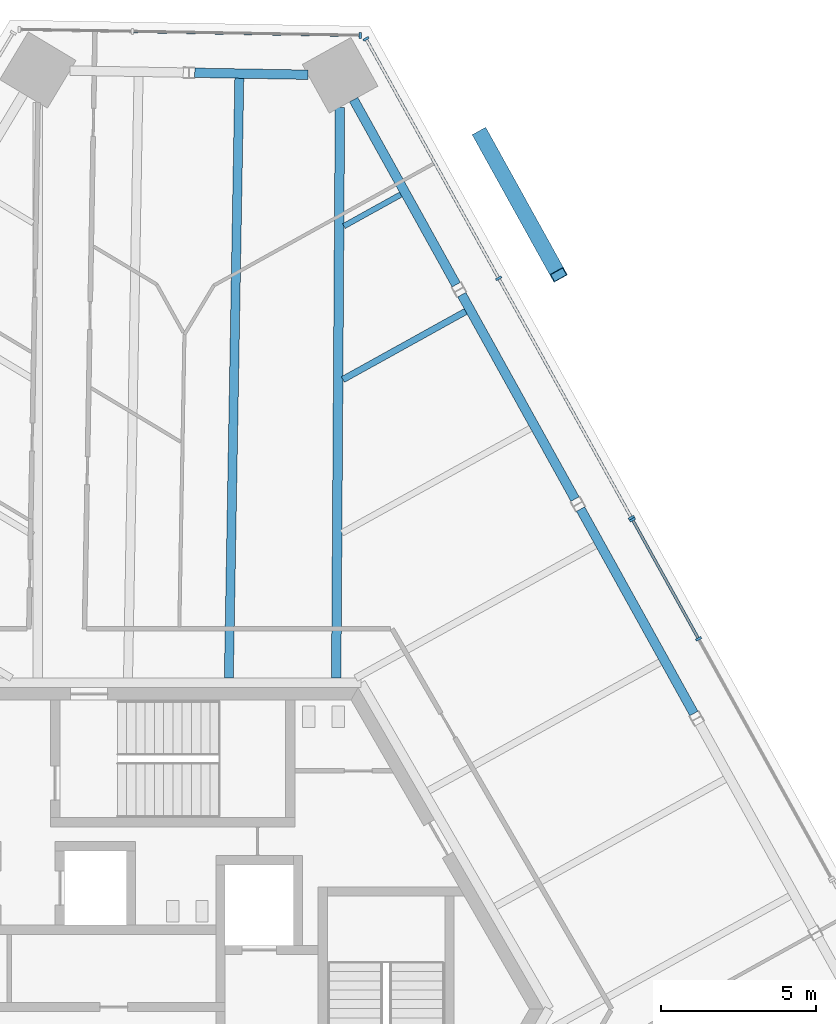
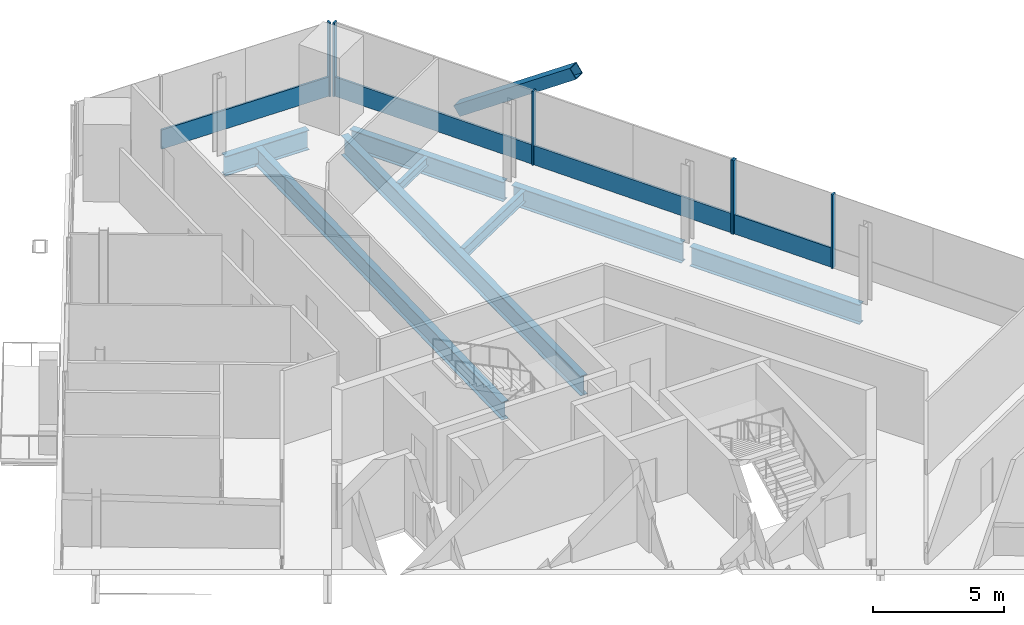
# One storey, part 9 of 19: 11 members, 8 beams, 3 elements without a shape of their own.
"""IFC4 building model written with IfcOpenShell, lengths in metres."""

from ifc_helpers import new_model, si_unit, direction, frame, origin, origin_2d, place, context, subcontext, project, spatial, rectangle, hollow_rectangle, i_section, extrude, source, transform, mapped, material, material_profile, profile_set, type_object, element, aggregate, save


model = new_model("IFC4")

# Units and contexts
model_context = context("Model", 3, precision=1e-05, world=origin(), true_north=direction((0.0, 1.0)))
body_context = subcontext(model_context, "Body", "Model", "MODEL_VIEW")
ifc_project = project(units=[si_unit("LENGTHUNIT", "METRE"), si_unit("AREAUNIT", "SQUARE_METRE"), si_unit("VOLUMEUNIT", "CUBIC_METRE"), si_unit("PLANEANGLEUNIT", "RADIAN"), si_unit("MASSUNIT", "GRAM", prefix="KILO")], contexts=[model_context])

# Site, building, storey
site_placement = place(None, origin())
site = spatial("IfcSite", under=ifc_project, at=site_placement, CompositionType="ELEMENT")
building_placement = place(site_placement, origin())
building = spatial("IfcBuilding", under=site, at=building_placement, Name="Triune Harvest Tower", CompositionType="ELEMENT")
storey_placement = place(building_placement, frame((0.0, 0.0, 183.5)))
storey = spatial("IfcBuildingStorey", under=building, at=storey_placement, Name="L47", CompositionType="ELEMENT", Elevation=183.5)

# Beams
ifc_material_1 = material(Name="Steel ASTM A992 Gr 50", Category="steel")
ifc_material_profile_1 = material_profile(ifc_material_1, i_section(OverallWidth=0.3046875, OverallDepth=0.914306640625, WebThickness=0.0166015625, FlangeThickness=0.02587890625, at=origin_2d()), Name="W36x160")
ifc_profile_set_1 = profile_set([ifc_material_profile_1], Name="Steel ASTM A992 Gr 50")
beam_type_1 = type_object("IfcBeamType", Name="SB-1 Spandrel beam W36x160", PredefinedType="SPANDREL", material=ifc_profile_set_1)
shared_shape_1 = source(origin(), body_context, "Body", "SweptSolid", [
    extrude(i_section(OverallWidth=0.3046875, OverallDepth=0.914306640625, WebThickness=0.0166015625, FlangeThickness=0.02587890625, at=origin_2d()), origin(), (0.0, 0.0, 1.0), 6.841796875),
])
beam_1_placement = place(storey_placement, frame((9.16943359375, 23.421875, -0.6171875), z_axis=(-0.484833781575, 0.87460631386, 0.0), x_axis=(-0.87460631386, -0.484833781575, 0.0)))
element("IfcBeam", 1, at=beam_1_placement, inside=storey, type_object=beam_type_1, Name="beam/L47/SB6", PredefinedType="SPANDREL", context=body_context, shape_type="MappedRepresentation", body=[
    mapped(shared_shape_1, transform((0.0, 0.0, 0.0), scale=1.0)),
])
shared_shape_2 = source(origin(), body_context, "Body", "SweptSolid", [
    extrude(i_section(OverallWidth=0.3046875, OverallDepth=0.914306640625, WebThickness=0.0166015625, FlangeThickness=0.02587890625, at=origin_2d()), origin(), (0.0, 0.0, 1.0), 7.556396484375),
])
for number, where, z_axis, x_axis, name in (
    (2, (16.855712890625, 9.555419921875, -0.6171875), (-0.484806011206, 0.874621707654, 0.0), (-0.874621707654, -0.484806011206, 0.0), "beam/L47/SB4"),
    (3, (13.0126953125, 16.488525390625, -0.6171875), (-0.484830726301, 0.874608007529, 0.0), (-0.874608007529, -0.484830726301, 0.0), "beam/L47/SB5"),
):
    element("IfcBeam", number, at=place(storey_placement, frame(where, z_axis=z_axis, x_axis=x_axis)), inside=storey, type_object=beam_type_1, Name=name, PredefinedType="SPANDREL", context=body_context, shape_type="MappedRepresentation", body=[
        mapped(shared_shape_2, transform((0.0, 0.0, 0.0), scale=1.0)),
    ])
shared_shape_3 = source(origin(), body_context, "Body", "SweptSolid", [
    extrude(i_section(OverallWidth=0.3046875, OverallDepth=0.914306640625, WebThickness=0.0166015625, FlangeThickness=0.02587890625, at=origin_2d()), origin(), (0.0, 0.0, 1.0), 3.66357421875),
])
beam_2_placement = place(storey_placement, frame((4.376953125, 30.211181640625, -0.6171875), z_axis=(-0.999847573959, 0.017459348466, 0.0), x_axis=(-0.017459348466, -0.999847573959, 0.0)))
element("IfcBeam", 4, at=beam_2_placement, inside=storey, type_object=beam_type_1, Name="beam/L47/SB7", PredefinedType="SPANDREL", context=body_context, shape_type="MappedRepresentation", body=[
    mapped(shared_shape_3, transform((0.0, 0.0, 0.0), scale=1.0)),
])
ifc_material_2 = material(Name="Steel ASTM A992 Gr 50", Category="steel")
ifc_material_profile_2 = material_profile(ifc_material_2, i_section(OverallWidth=0.307373046875, OverallDepth=0.922119140625, WebThickness=0.018310546875, FlangeThickness=0.030029296875, at=origin_2d()), Name="W36x182")
ifc_profile_set_2 = profile_set([ifc_material_profile_2], Name="Steel ASTM A992 Gr 50")
beam_type_2 = type_object("IfcBeamType", Name="HG-2 Hip girder W36x182", PredefinedType="BEAM", material=ifc_profile_set_2)
shared_shape_4 = source(origin(), body_context, "Body", "SweptSolid", [
    extrude(i_section(OverallWidth=0.307373046875, OverallDepth=0.922119140625, WebThickness=0.018310546875, FlangeThickness=0.030029296875, at=origin_2d()), origin(), (0.0, 0.0, 1.0), 18.463623046875),
])
beam_3_placement = place(storey_placement, frame((5.409423828125, 29.16015625, -0.62109375), z_axis=(-0.006518869748, -0.999978751943, 0.0), x_axis=(0.999978751943, -0.006518869748, 0.0)))
element("IfcBeam", 5, at=beam_3_placement, inside=storey, type_object=beam_type_2, Name="beam/L47/HG3", PredefinedType="BEAM", context=body_context, shape_type="MappedRepresentation", body=[
    mapped(shared_shape_4, transform((0.0, 0.0, 0.0), scale=1.0)),
])
ifc_material_3 = material(Name="Steel ASTM A992 Gr 50", Category="steel")
ifc_material_profile_3 = material_profile(ifc_material_3, i_section(OverallWidth=0.2099609375, OverallDepth=0.535888671875, WebThickness=0.010986328125, FlangeThickness=0.017333984375, at=origin_2d()), Name="W21x68")
ifc_profile_set_3 = profile_set([ifc_material_profile_3], Name="Steel ASTM A992 Gr 50")
beam_type_3 = type_object("IfcBeamType", Name="JT-2 Floor joist W21x68", PredefinedType="JOIST", material=ifc_profile_set_3)
shared_shape_5 = source(origin(), body_context, "Body", "SweptSolid", [
    extrude(i_section(OverallWidth=0.2099609375, OverallDepth=0.535888671875, WebThickness=0.010986328125, FlangeThickness=0.017333984375, at=origin_2d()), origin(), (0.0, 0.0, 1.0), 4.538818359375),
])
beam_4_placement = place(storey_placement, frame((9.475341796875, 22.555419921875, -0.427978515625), z_axis=(-0.874621193693, -0.484806938423, 0.0), x_axis=(0.484806938423, -0.874621193693, 0.0)))
element("IfcBeam", 6, at=beam_4_placement, inside=storey, type_object=beam_type_3, Name="beam/L47/JT9", PredefinedType="JOIST", context=body_context, shape_type="MappedRepresentation", body=[
    mapped(shared_shape_5, transform((0.0, 0.0, 0.0), scale=1.0)),
])
ifc_material_4 = material(Name="Steel ASTM A992 Gr 50", Category="steel")
ifc_material_profile_4 = material_profile(ifc_material_4, i_section(OverallWidth=0.180908203125, OverallDepth=0.41650390625, WebThickness=0.010986328125, FlangeThickness=0.01806640625, at=origin_2d()), Name="W16x57")
ifc_profile_set_4 = profile_set([ifc_material_profile_4], Name="Steel ASTM A992 Gr 50")
beam_type_4 = type_object("IfcBeamType", Name="JT-1 Floor joist W16x57", PredefinedType="JOIST", material=ifc_profile_set_4)
shared_shape_6 = source(origin(), body_context, "Body", "SweptSolid", [
    extrude(i_section(OverallWidth=0.180908203125, OverallDepth=0.41650390625, WebThickness=0.010986328125, FlangeThickness=0.01806640625, at=origin_2d()), origin(), (0.0, 0.0, 1.0), 2.10498046875),
])
beam_5_placement = place(storey_placement, frame((7.379150390625, 26.33740234375, -0.368408203125), z_axis=(-0.874621898411, -0.484805667067, 0.0), x_axis=(0.484805667067, -0.874621898411, 0.0)))
element("IfcBeam", 7, at=beam_5_placement, inside=storey, type_object=beam_type_4, Name="beam/L47/JT10", PredefinedType="JOIST", context=body_context, shape_type="MappedRepresentation", body=[
    mapped(shared_shape_6, transform((0.0, 0.0, 0.0), scale=1.0)),
])
ifc_material_5 = material(Name="Steel ASTM A992 Gr 50", Category="steel")
ifc_material_profile_5 = material_profile(ifc_material_5, i_section(OverallWidth=0.2919921875, OverallDepth=0.8408203125, WebThickness=0.0146484375, FlangeThickness=0.021728515625, at=origin_2d()), Name="W33x130")
ifc_profile_set_5 = profile_set([ifc_material_profile_5], Name="Steel ASTM A992 Gr 50")
beam_type_5 = type_object("IfcBeamType", Name="JT-6 Floor joist W33x130", PredefinedType="JOIST", material=ifc_profile_set_5)
shared_shape_7 = source(origin(), body_context, "Body", "SweptSolid", [
    extrude(i_section(OverallWidth=0.2919921875, OverallDepth=0.8408203125, WebThickness=0.0146484375, FlangeThickness=0.021728515625, at=origin_2d()), origin(), (0.0, 0.0, 1.0), 19.403564453125),
])
beam_6_placement = place(storey_placement, frame((2.155029296875, 30.09765625, -0.580322265625), z_axis=(-0.017451567023, -0.999847709808, 0.0), x_axis=(0.999847709808, -0.017451567023, 0.0)))
element("IfcBeam", 8, at=beam_6_placement, inside=storey, type_object=beam_type_5, Name="beam/L47/JT11", PredefinedType="JOIST", context=body_context, shape_type="MappedRepresentation", body=[
    mapped(shared_shape_7, transform((0.0, 0.0, 0.0), scale=1.0)),
])

# Member
ifc_material_6 = material(Name="Steel ASTM A572 Gr 50", Category="steel")
ifc_material_profile_6 = material_profile(ifc_material_6, hollow_rectangle(XDim=0.5, YDim=0.5, WallThickness=0.030029296875, at=origin_2d()), Name="Box 500x500x30")
ifc_profile_set_6 = profile_set([ifc_material_profile_6], Name="Steel ASTM A572 Gr 50")
member_type_1 = type_object("IfcMemberType", Name="BR-3 Brace Box 500x500x30", PredefinedType="BRACE", material=ifc_profile_set_6)
shared_shape_8 = source(origin(), body_context, "Body", "SweptSolid", [
    extrude(hollow_rectangle(XDim=0.5, YDim=0.5, WallThickness=0.030029296875, at=origin_2d()), origin(), (0.0, 0.0, 1.0), 6.302978515625),
])
member_1_placement = place(storey_placement, frame((9.9736328125, 28.266357421875, 0.0), z_axis=(0.397957445463, -0.717903766226, 0.571177777963), x_axis=(0.874610982048, 0.484825360395, 0.0)))
element("IfcMember", 9, at=member_1_placement, inside=storey, type_object=member_type_1, Name="brace/B5-F1/d2/2", PredefinedType="BRACE", context=body_context, shape_type="MappedRepresentation", body=[
    mapped(shared_shape_8, transform((0.0, 0.0, 0.0), scale=1.0)),
])

# Curtain wall, members
ifc_material_7 = material(Name="Aluminium bronze anodised", Category="aluminium")
curtain_wall_type_1 = type_object("IfcCurtainWallType", Name="CW-1 Tower stick curtain wall", PredefinedType="NOTDEFINED", material=ifc_material_7)
curtain_wall_1_placement = place(storey_placement, origin())
curtain_wall_1 = element("IfcCurtainWall", 10, at=curtain_wall_1_placement, inside=storey, type_object=curtain_wall_type_1, Name="CW-1 B5-F1 L47 run 1001")
ifc_material_8 = material(Name="Aluminium bronze anodised", Category="aluminium")
ifc_material_profile_7 = material_profile(ifc_material_8, rectangle(XDim=0.199951171875, YDim=0.074951171875, at=origin_2d()), Name="MU-1 mullion 75 x 200")
ifc_profile_set_7 = profile_set([ifc_material_profile_7], Name="Aluminium bronze anodised")
member_type_2 = type_object("IfcMemberType", Name="MU-1 mullion 75 x 200", PredefinedType="MULLION", material=ifc_profile_set_7)
shared_shape_9 = source(origin(), body_context, "Body", "SweptSolid", [
    extrude(rectangle(XDim=0.199951171875, YDim=0.074951171875, at=origin_2d()), origin(), (0.0, 0.0, 1.0), 3.43994140625),
])
member_2_placement = place(storey_placement, frame((17.00732421875, 11.968017578125, 0.0), z_axis=(0.0, 0.0, 1.0), x_axis=(-0.87461998417, -0.48480912047, 0.0)))
member_2 = element("IfcMember", 11, at=member_2_placement, type_object=member_type_2, Name="CW-1 mullion B5-F1 1001.3", PredefinedType="MULLION", context=body_context, shape_type="MappedRepresentation", body=[
    mapped(shared_shape_9, transform((0.0, 0.0, 0.0), scale=1.0)),
])
member_3_placement = place(storey_placement, frame((14.870849609375, 15.822265625, 0.0), z_axis=(0.0, 0.0, 1.0), x_axis=(-0.87461998417, -0.48480912047, 0.0)))
member_3 = element("IfcMember", 12, at=member_3_placement, type_object=member_type_2, Name="CW-1 mullion B5-F1 1001.4", PredefinedType="MULLION", context=body_context, shape_type="MappedRepresentation", body=[
    mapped(shared_shape_9, transform((0.0, 0.0, 0.0), scale=1.0)),
])

ifc_material_9 = material(Name="Aluminium bronze anodised", Category="aluminium")
curtain_wall_type_2 = type_object("IfcCurtainWallType", Name="CW-7 Tower stick curtain wall with insulated spandrel infill", PredefinedType="NOTDEFINED", material=ifc_material_9)
curtain_wall_2_placement = place(storey_placement, origin())
curtain_wall_2 = element("IfcCurtainWall", 13, at=curtain_wall_2_placement, inside=storey, type_object=curtain_wall_type_2, Name="CW-7 B5-F1 L47 run 2001")
member_4_placement = place(storey_placement, frame((14.83447265625, 15.8876953125, 0.0), z_axis=(0.0, 0.0, 1.0), x_axis=(-0.874620469995, -0.484808244015, 0.0)))
member_4 = element("IfcMember", 14, at=member_4_placement, type_object=member_type_2, Name="CW-7 mullion B5-F1 2001.1", PredefinedType="MULLION", context=body_context, shape_type="MappedRepresentation", body=[
    mapped(shared_shape_9, transform((0.0, 0.0, 0.0), scale=1.0)),
])
member_5_placement = place(storey_placement, frame((10.54345703125, 23.629150390625, 0.0), z_axis=(0.0, 0.0, 1.0), x_axis=(-0.874620469995, -0.484808244015, 0.0)))
member_5 = element("IfcMember", 15, at=member_5_placement, type_object=member_type_2, Name="CW-7 mullion B5-F1 2001.3", PredefinedType="MULLION", context=body_context, shape_type="MappedRepresentation", body=[
    mapped(shared_shape_9, transform((0.0, 0.0, 0.0), scale=1.0)),
])
member_6_placement = place(storey_placement, frame((6.252197265625, 31.370361328125, 0.0), z_axis=(0.0, 0.0, 1.0), x_axis=(-0.874620469995, -0.484808244015, 0.0)))
member_6 = element("IfcMember", 16, at=member_6_placement, type_object=member_type_2, Name="CW-7 mullion B5-F1 2001.5", PredefinedType="MULLION", context=body_context, shape_type="MappedRepresentation", body=[
    mapped(shared_shape_9, transform((0.0, 0.0, 0.0), scale=1.0)),
])

curtain_wall_3_placement = place(storey_placement, origin())
curtain_wall_3 = element("IfcCurtainWall", 17, at=curtain_wall_3_placement, inside=storey, type_object=curtain_wall_type_1, Name="CW-1 B5-F2 L47 run 1")
member_7_placement = place(storey_placement, frame((6.06298828125, 31.484130859375, 0.0), z_axis=(0.0, 0.0, 1.0), x_axis=(-0.017446318452, -0.999847801404, 0.0)))
member_7 = element("IfcMember", 18, at=member_7_placement, type_object=member_type_2, Name="CW-1 mullion B5-F2 1.1", PredefinedType="MULLION", context=body_context, shape_type="MappedRepresentation", body=[
    mapped(shared_shape_9, transform((0.0, 0.0, 0.0), scale=1.0)),
])
ifc_material_10 = material(Name="Aluminium bronze anodised", Category="aluminium")
ifc_material_profile_8 = material_profile(ifc_material_10, rectangle(XDim=0.090087890625, YDim=0.89990234375, at=origin_2d()), Name="TR-1 transom 90 x 900")
ifc_profile_set_8 = profile_set([ifc_material_profile_8], Name="Aluminium bronze anodised")
member_type_3 = type_object("IfcMemberType", Name="TR-1 transom 90 x 900", PredefinedType="USERDEFINED", material=ifc_profile_set_8)
shared_shape_10 = source(origin(), body_context, "Body", "SweptSolid", [
    extrude(rectangle(XDim=0.090087890625, YDim=0.89990234375, at=origin_2d()), origin(), (0.0, 0.0, 1.0), 7.287841796875),
])
member_8_placement = place(storey_placement, frame((6.025634765625, 31.48486328125, 0.449951171875), z_axis=(-0.999848258084, 0.017420126456, 0.0), x_axis=(-0.017420126456, -0.999848258084, 0.0)))
member_8 = element("IfcMember", 19, at=member_8_placement, type_object=member_type_3, Name="CW-1 transom B5-F2 1.1", ObjectType="TRANSOM", PredefinedType="USERDEFINED", context=body_context, shape_type="MappedRepresentation", body=[
    mapped(shared_shape_10, transform((0.0, 0.0, 0.0), scale=1.0)),
])
aggregate(curtain_wall_3, [member_7, member_8])

# Member
shared_shape_11 = source(origin(), body_context, "Body", "SweptSolid", [
    extrude(rectangle(XDim=0.090087890625, YDim=0.89990234375, at=origin_2d()), origin(), (0.0, 0.0, 1.0), 8.776123046875),
])
member_9_placement = place(storey_placement, frame((10.525146484375, 23.661865234375, 0.449951171875), z_axis=(-0.484799478491, 0.874625328729, 0.0), x_axis=(-0.874625328729, -0.484799478491, 0.0)))
member_9 = element("IfcMember", 20, at=member_9_placement, type_object=member_type_3, Name="CW-7 transom B5-F1 2001.2", ObjectType="TRANSOM", PredefinedType="USERDEFINED", context=body_context, shape_type="MappedRepresentation", body=[
    mapped(shared_shape_11, transform((0.0, 0.0, 0.0), scale=1.0)),
])

shared_shape_12 = source(origin(), body_context, "Body", "SweptSolid", [
    extrude(rectangle(XDim=0.090087890625, YDim=0.89990234375, at=origin_2d()), origin(), (0.0, 0.0, 1.0), 4.331787109375),
])
member_10_placement = place(storey_placement, frame((16.989013671875, 12.000732421875, 0.449951171875), z_axis=(-0.484819628701, 0.874614159287, 0.0), x_axis=(-0.874614159287, -0.484819628701, 0.0)))
member_10 = element("IfcMember", 21, at=member_10_placement, type_object=member_type_3, Name="CW-1 transom B5-F1 1001.2", ObjectType="TRANSOM", PredefinedType="USERDEFINED", context=body_context, shape_type="MappedRepresentation", body=[
    mapped(shared_shape_12, transform((0.0, 0.0, 0.0), scale=1.0)),
])

aggregate(curtain_wall_1, [member_2, member_3, member_10])

shared_shape_13 = source(origin(), body_context, "Body", "SweptSolid", [
    extrude(rectangle(XDim=0.090087890625, YDim=0.89990234375, at=origin_2d()), origin(), (0.0, 0.0, 1.0), 8.77587890625),
])
member_11_placement = place(storey_placement, frame((14.816162109375, 15.920654296875, 0.449951171875), z_axis=(-0.484811274434, 0.874618790206, 0.0), x_axis=(-0.874618790206, -0.484811274434, 0.0)))
member_11 = element("IfcMember", 22, at=member_11_placement, type_object=member_type_3, Name="CW-7 transom B5-F1 2001.1", ObjectType="TRANSOM", PredefinedType="USERDEFINED", context=body_context, shape_type="MappedRepresentation", body=[
    mapped(shared_shape_13, transform((0.0, 0.0, 0.0), scale=1.0)),
])

aggregate(curtain_wall_2, [member_4, member_5, member_6, member_11, member_9])

save(model, "model.ifc")
